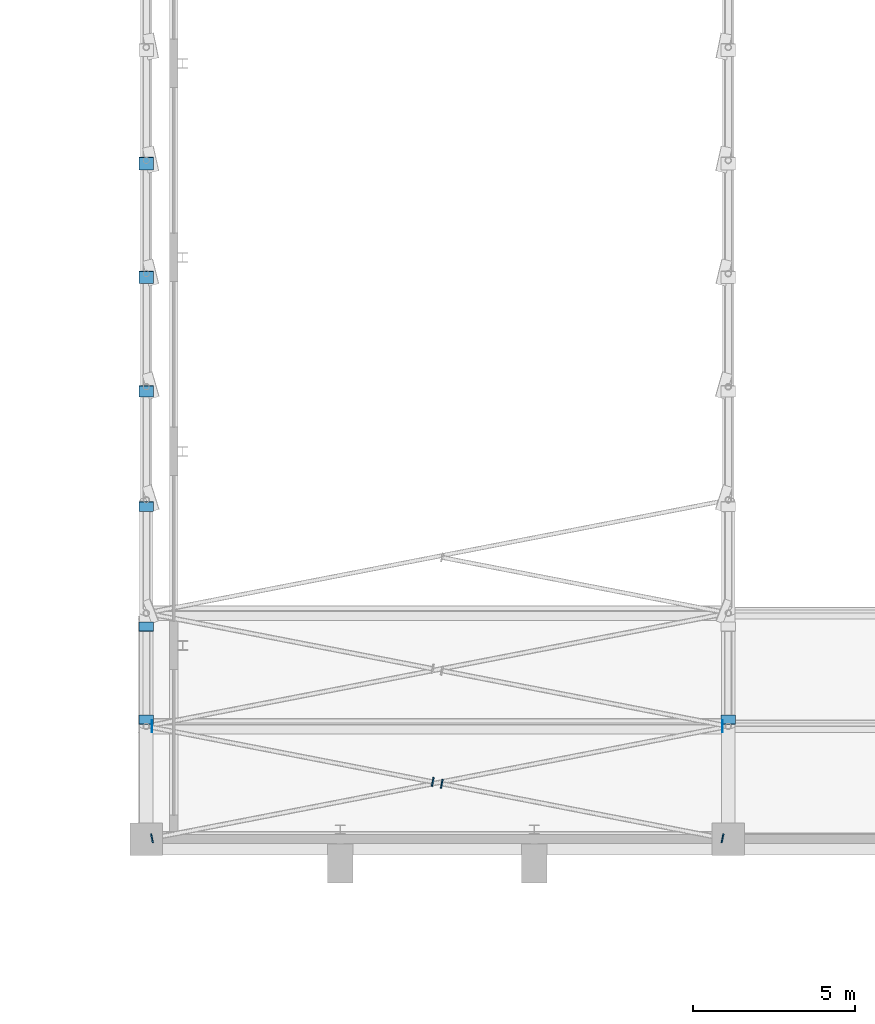
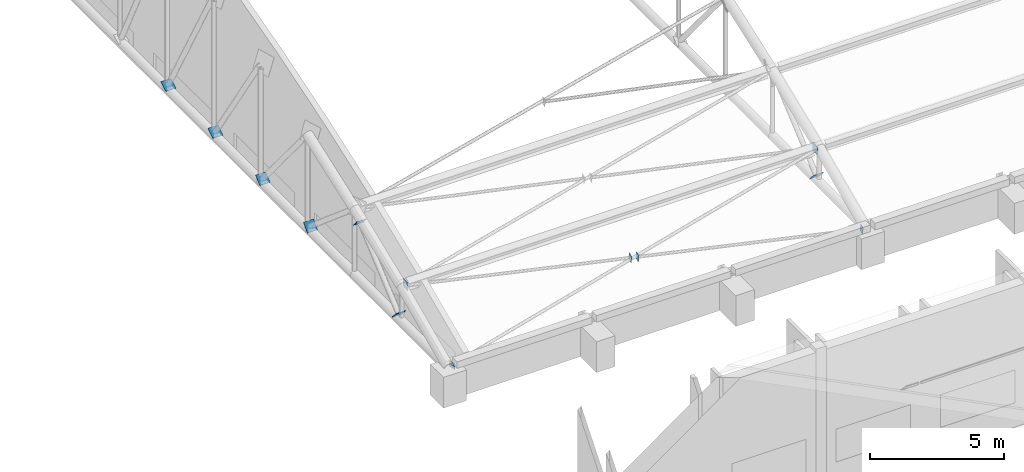
# One storey, part 143 of 196: 13 discrete accessories.
"""IFC4 building model written with IfcOpenShell, lengths in metres."""

from ifc_helpers import new_model, si_unit, direction, frame, origin, origin_2d, place, context, subcontext, project, spatial, rectangle, extrude, material, layer, layer_set, type_object, element, save


model = new_model("IFC4")

# Units and contexts
model_context = context("Model", 3, precision=1e-05, world=origin(), true_north=direction((0.0, 1.0)))
body_context = subcontext(model_context, "Body", "Model", "MODEL_VIEW")
ifc_project = project(units=[si_unit("LENGTHUNIT", "METRE"), si_unit("AREAUNIT", "SQUARE_METRE"), si_unit("VOLUMEUNIT", "CUBIC_METRE"), si_unit("PLANEANGLEUNIT", "RADIAN"), si_unit("MASSUNIT", "GRAM", prefix="KILO")], contexts=[model_context])

# Site, building, storey
site_placement = place(None, origin())
site = spatial("IfcSite", under=ifc_project, at=site_placement, CompositionType="ELEMENT")
building_placement = place(site_placement, origin())
building = spatial("IfcBuilding", under=site, at=building_placement, Name="Okhra Congress Centre", CompositionType="ELEMENT")
storey_placement = place(building_placement, frame((0.0, 0.0, 12.0)))
storey = spatial("IfcBuildingStorey", under=building, at=storey_placement, Name="L02", CompositionType="ELEMENT", Elevation=12.0)

# Discrete accessories
ifc_material = material(Name="Steel S355J2", Category="steel")
ifc_layer = layer(ifc_material, 0.02001953125)
ifc_layer_set = layer_set([ifc_layer], Name="Brace end connection plate 20 mm S355")
discrete_accessory_type = type_object("IfcDiscreteAccessoryType", Name="Brace end connection plate 20 mm S355", PredefinedType="BRACKET", material=ifc_layer_set)
for number, where, z_axis, x_axis, name in (
    (1, (28.0, 138.57421875, 4.01220703125), (0.0, 0.760121344352, 0.649781149204), (-1.0, 0.0, 0.0), "Brace end connection plate"),
    (2, (28.0, 135.709228515625, 1.577880859375), (0.0, -0.760121344352, -0.649781149204), (1.0, 0.0, 0.0), "Brace end connection plate"),
    (3, (28.0, 142.290771484375, 1.577880859375), (0.0, 0.760121344352, -0.649781149204), (-1.0, 0.0, 0.0), "Brace end connection plate"),
    (4, (28.0, 145.852783203125, 1.577880859375), (0.0, 0.643761629109, -0.765226087432), (-1.0, 0.0, 0.0), "Brace end connection plate"),
    (5, (28.0, 149.38330078125, 1.577880859375), (0.0, 0.546267780547, -0.837610596839), (-1.0, 0.0, 0.0), "Brace end connection plate"),
    (6, (28.0, 152.9013671875, 1.577880859375), (0.0, 0.485642931179, -0.874157276122), (-1.0, 0.0, 0.0), "Brace end connection plate"),
    (7, (46.0, 135.709228515625, 1.577880859375), (0.0, -0.760121344352, -0.649781149204), (1.0, 0.0, 0.0), "Brace end connection plate"),
):
    element("IfcDiscreteAccessory", number, at=place(storey_placement, frame(where, z_axis=z_axis, x_axis=x_axis)), inside=storey, type_object=discrete_accessory_type, Name=name, PredefinedType="BRACKET", context=body_context, shape_type="SweptSolid", body=[
        extrude(rectangle(XDim=0.43798828125, YDim=0.43798828125, at=origin_2d()), origin(), (0.0, 0.0, 1.0), 0.02001953125),
    ])
discrete_accessory_1_placement = place(storey_placement, frame((28.185546875, 132.0361328125, 1.416259765625), z_axis=(-0.97699107393, -0.195398214786, -0.085486718969), x_axis=(0.196116135138, -0.980580675691, 0.0)))
element("IfcDiscreteAccessory", 8, at=discrete_accessory_1_placement, inside=storey, type_object=discrete_accessory_type, Name="Brace end connection plate", PredefinedType="BRACKET", context=body_context, shape_type="SweptSolid", body=[
    extrude(rectangle(XDim=0.279052734375, YDim=0.279052734375, at=origin_2d()), origin(), (0.0, 0.0, 1.0), 0.02001953125),
])
discrete_accessory_2_placement = place(storey_placement, frame((45.814453125, 135.5, 2.966064453125), z_axis=(1.0, 0.0, 0.0), x_axis=(0.0, 1.0, 0.0)))
element("IfcDiscreteAccessory", 9, at=discrete_accessory_2_placement, inside=storey, type_object=discrete_accessory_type, Name="Brace end connection plate", PredefinedType="BRACKET", context=body_context, shape_type="SweptSolid", body=[
    extrude(rectangle(XDim=0.35791015625, YDim=0.35791015625, at=origin_2d()), origin(), (0.0, 0.0, 1.0), 0.019775390625),
])
for number, where, z_axis, x_axis, name in (
    (10, (45.814453125, 132.0361328125, 1.416259765625), (0.97699107393, -0.195398214786, -0.085486718969), (0.196116135138, 0.980580675691, 0.0), "Brace end connection plate"),
    (11, (37.14990234375, 133.720947265625, 2.17041015625), (-0.979257453545, 0.18361077254, 0.085685027185), (-0.18428853505, -0.982872186934, 0.0), "Brace end connection plate"),
    (12, (36.85009765625, 133.779052734375, 2.196533203125), (0.979257453545, -0.18361077254, -0.085685027185), (0.18428853505, 0.982872186934, 0.0), "Brace end connection plate"),
):
    element("IfcDiscreteAccessory", number, at=place(storey_placement, frame(where, z_axis=z_axis, x_axis=x_axis)), inside=storey, type_object=discrete_accessory_type, Name=name, PredefinedType="BRACKET", context=body_context, shape_type="SweptSolid", body=[
        extrude(rectangle(XDim=0.279052734375, YDim=0.279052734375, at=origin_2d()), origin(), (0.0, 0.0, 1.0), 0.02001953125),
    ])
discrete_accessory_3_placement = place(storey_placement, frame((28.185546875, 135.5, 2.966064453125), z_axis=(-1.0, 0.0, 0.0), x_axis=(0.0, -1.0, 0.0)))
element("IfcDiscreteAccessory", 13, at=discrete_accessory_3_placement, inside=storey, type_object=discrete_accessory_type, Name="Brace end connection plate", PredefinedType="BRACKET", context=body_context, shape_type="SweptSolid", body=[
    extrude(rectangle(XDim=0.35791015625, YDim=0.35791015625, at=origin_2d()), origin(), (0.0, 0.0, 1.0), 0.019775390625),
])

save(model, "model.ifc")
